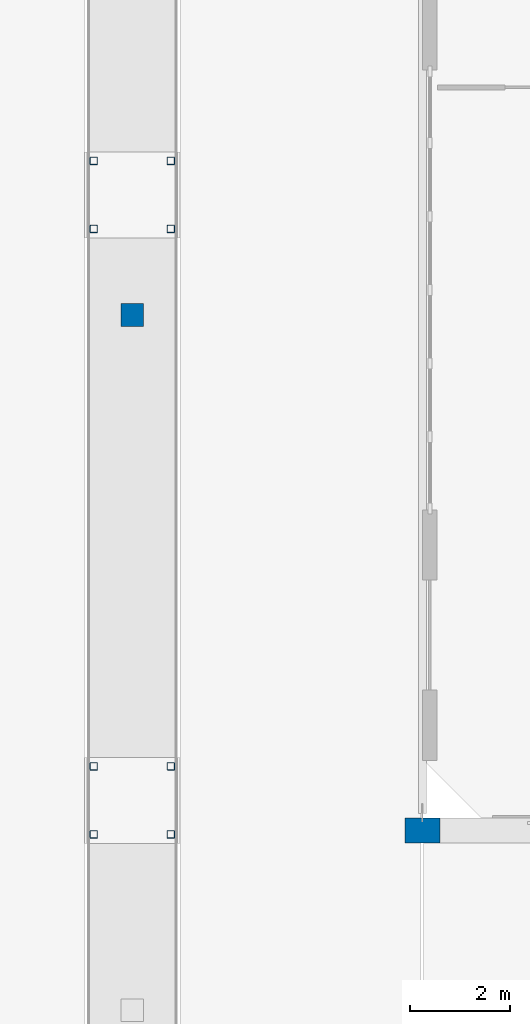
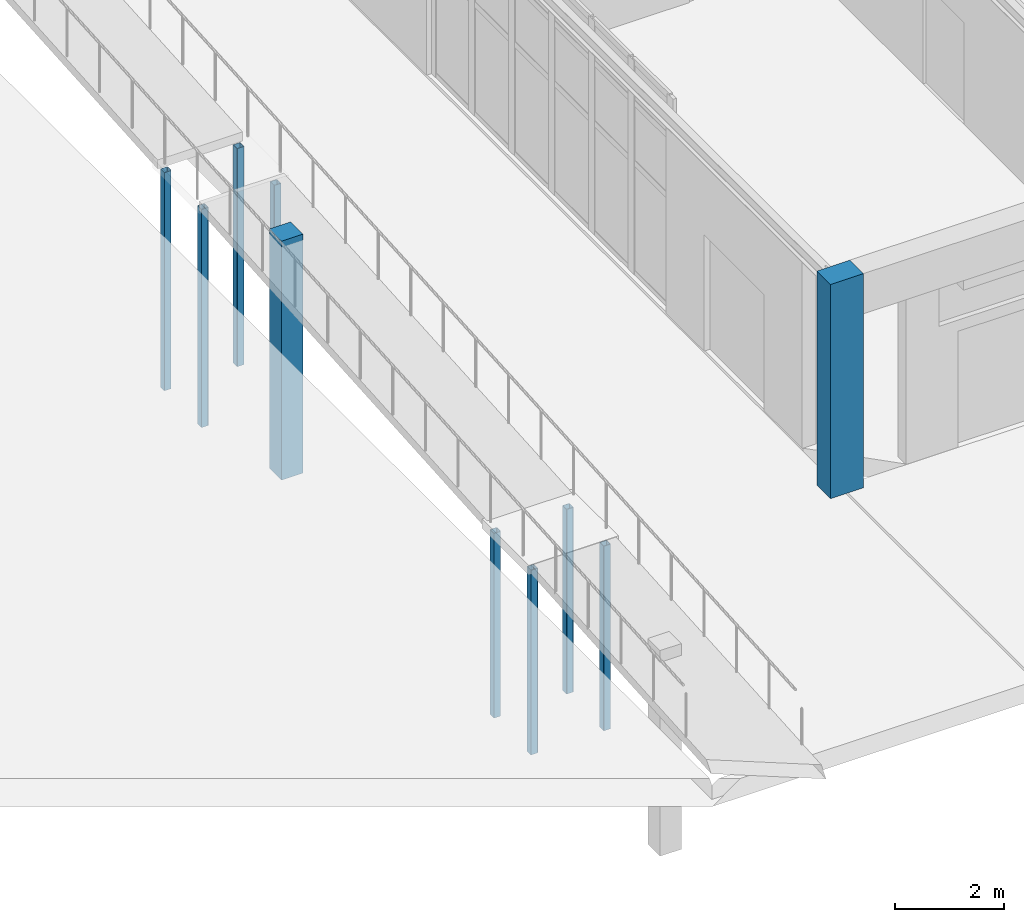
# One storey, part 4 of 85: 10 columns.
"""IFC4 building model written with IfcOpenShell, lengths in metres."""

from ifc_helpers import new_model, si_unit, direction, frame, origin, origin_2d, place, context, subcontext, project, spatial, rectangle, hollow_rectangle, extrude, material, material_profile, profile_set, type_object, element, save


model = new_model("IFC4")

# Units and contexts
model_context = context("Model", 3, precision=1e-05, world=origin(), true_north=direction((0.0, 1.0)))
body_context = subcontext(model_context, "Body", "Model", "MODEL_VIEW")
ifc_project = project(units=[si_unit("LENGTHUNIT", "METRE"), si_unit("AREAUNIT", "SQUARE_METRE"), si_unit("VOLUMEUNIT", "CUBIC_METRE"), si_unit("PLANEANGLEUNIT", "RADIAN"), si_unit("MASSUNIT", "GRAM", prefix="KILO")], contexts=[model_context])

# Site, building, storey
site_placement = place(None, origin())
site = spatial("IfcSite", under=ifc_project, at=site_placement, CompositionType="ELEMENT")
building_placement = place(site_placement, origin())
building = spatial("IfcBuilding", under=site, at=building_placement, Name="Ochrevale Crest", CompositionType="ELEMENT")
storey_placement = place(building_placement, origin())
storey = spatial("IfcBuildingStorey", under=building, at=storey_placement, Name="L00", CompositionType="ELEMENT", Elevation=0.0)

# Columns
ifc_material_1 = material(Name="Precast concrete C40/50", Category="concrete")
ifc_material_profile_1 = material_profile(ifc_material_1, rectangle(XDim=0.449951171875, YDim=0.449951171875, at=origin_2d()), Name="RC 450x450")
ifc_profile_set_1 = profile_set([ifc_material_profile_1], Name="Precast concrete C40/50")
column_type_1 = type_object("IfcColumnType", Name="COL-RC450x450", PredefinedType="COLUMN", material=ifc_profile_set_1)
column_1_placement = place(storey_placement, frame((51.800048828125, 53.5, -3.860107421875), z_axis=(0.0, 0.0, 1.0), x_axis=(1.0, 0.0, 0.0)))
element("IfcColumn", 1, at=column_1_placement, inside=storey, type_object=column_type_1, Name="Foundation support pier FTG-PF-RW1B", PredefinedType="COLUMN", context=body_context, shape_type="SweptSolid", body=[
    extrude(rectangle(XDim=0.449951171875, YDim=0.449951171875, at=origin_2d()), origin(), (0.0, 0.0, 1.0), 5.360107421875),
])
ifc_material_2 = material(Name="Precast concrete C50/60", Category="concrete")
ifc_material_profile_2 = material_profile(ifc_material_2, rectangle(XDim=0.5, YDim=0.699951171875, at=origin_2d()), Name="RC 500x700")
ifc_profile_set_2 = profile_set([ifc_material_profile_2], Name="Precast concrete C50/60")
column_type_2 = type_object("IfcColumnType", Name="COL-RC500x700", PredefinedType="COLUMN", material=ifc_profile_set_2)
column_2_placement = place(storey_placement, frame((57.60009765625, 43.199951171875, 0.0), z_axis=(0.0, 0.0, 1.0), x_axis=(0.0, 1.0, 0.0)))
element("IfcColumn", 2, at=column_2_placement, inside=storey, type_object=column_type_2, Name="Community Hall buttress column 1-S", PredefinedType="COLUMN", context=body_context, shape_type="SweptSolid", body=[
    extrude(rectangle(XDim=0.5, YDim=0.699951171875, at=origin_2d()), origin(), (0.0, 0.0, 1.0), 4.800048828125),
])
ifc_material_3 = material(Name="Steel S355", Category="steel")
ifc_material_profile_3 = material_profile(ifc_material_3, hollow_rectangle(XDim=0.14990234375, YDim=0.14990234375, WallThickness=0.006103515625, InnerFilletRadius=0.006103515625, OuterFilletRadius=0.011962890625, at=origin_2d()), Name="150x150x6.0SHS")
ifc_profile_set_3 = profile_set([ifc_material_profile_3], Name="Steel S355")
column_type_3 = type_object("IfcColumnType", Name="COL-SHS150", PredefinedType="COLUMN", material=ifc_profile_set_3)
for number, where, z_axis, x_axis, name in (
    (3, (51.030029296875, 43.1201171875, -3.60009765625), (0.0, 0.0, 1.0), (1.0, 0.0, 0.0), "Ramp landing RMP-ACC-W1-L1 support post 1"),
    (4, (52.570068359375, 43.1201171875, -3.60009765625), (0.0, 0.0, 1.0), (1.0, 0.0, 0.0), "Ramp landing RMP-ACC-W1-L1 support post 2"),
    (5, (51.030029296875, 44.47998046875, -3.60009765625), (0.0, 0.0, 1.0), (1.0, 0.0, 0.0), "Ramp landing RMP-ACC-W1-L1 support post 3"),
    (6, (52.570068359375, 44.47998046875, -3.60009765625), (0.0, 0.0, 1.0), (1.0, 0.0, 0.0), "Ramp landing RMP-ACC-W1-L1 support post 4"),
):
    element("IfcColumn", number, at=place(storey_placement, frame(where, z_axis=z_axis, x_axis=x_axis)), inside=storey, type_object=column_type_3, Name=name, PredefinedType="COLUMN", context=body_context, shape_type="SweptSolid", body=[
        extrude(hollow_rectangle(XDim=0.14990234375, YDim=0.14990234375, WallThickness=0.006103515625, InnerFilletRadius=0.006103515625, OuterFilletRadius=0.011962890625, at=origin_2d()), origin(), (0.0, 0.0, 1.0), 4.14013671875),
    ])
for number, where, z_axis, x_axis, name in (
    (7, (51.030029296875, 55.219970703125, -3.60009765625), (0.0, 0.0, 1.0), (1.0, 0.0, 0.0), "Ramp landing RMP-ACC-W1-L2 support post 1"),
    (8, (52.570068359375, 55.219970703125, -3.60009765625), (0.0, 0.0, 1.0), (1.0, 0.0, 0.0), "Ramp landing RMP-ACC-W1-L2 support post 2"),
    (9, (51.030029296875, 56.580078125, -3.60009765625), (0.0, 0.0, 1.0), (1.0, 0.0, 0.0), "Ramp landing RMP-ACC-W1-L2 support post 3"),
    (10, (52.570068359375, 56.580078125, -3.60009765625), (0.0, 0.0, 1.0), (1.0, 0.0, 0.0), "Ramp landing RMP-ACC-W1-L2 support post 4"),
):
    element("IfcColumn", number, at=place(storey_placement, frame(where, z_axis=z_axis, x_axis=x_axis)), inside=storey, type_object=column_type_3, Name=name, PredefinedType="COLUMN", context=body_context, shape_type="SweptSolid", body=[
        extrude(hollow_rectangle(XDim=0.14990234375, YDim=0.14990234375, WallThickness=0.006103515625, InnerFilletRadius=0.006103515625, OuterFilletRadius=0.011962890625, at=origin_2d()), origin(), (0.0, 0.0, 1.0), 4.89013671875),
    ])

save(model, "model.ifc")
